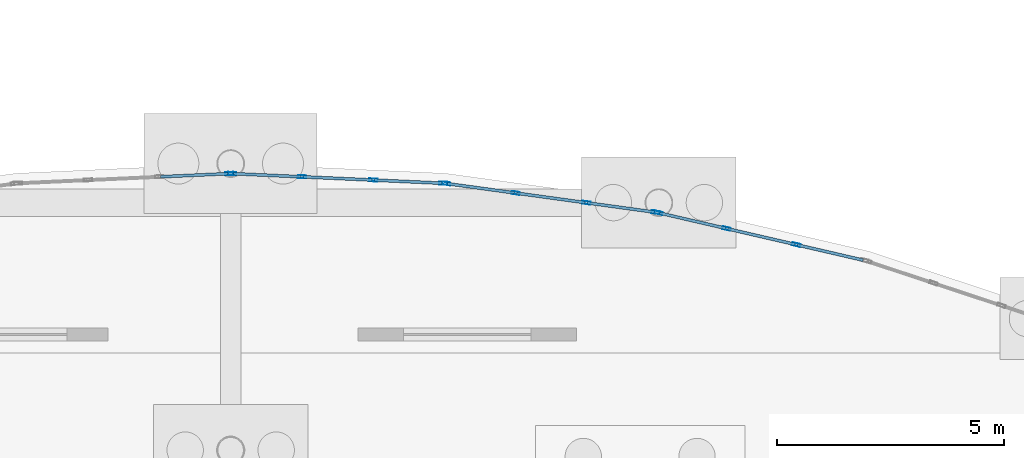
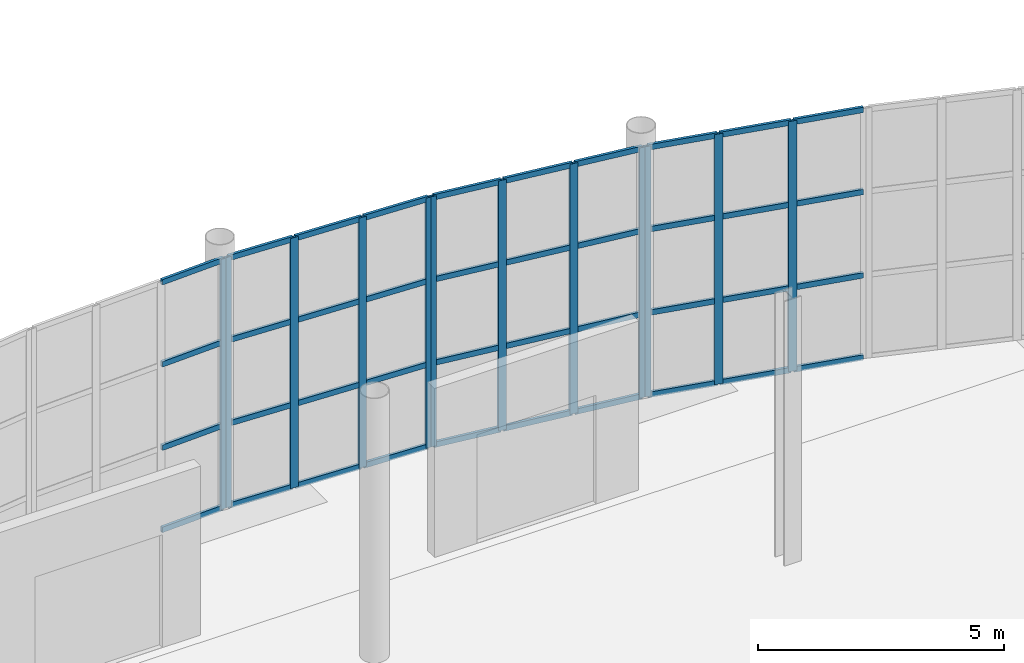
# One storey, part 61 of 115: 52 members, 4 elements without a shape of their own.
"""IFC4 building model written with IfcOpenShell, lengths in metres."""

import ifcopenshell
import ifcopenshell.guid

model = None  # the IFC model being written
_history = None  # IfcOwnerHistory: only IFC2X3 demands one
_inside = {}  # id of a spatial element -> (the spatial element, [elements in it])
_under = {}  # id of a project, library or spatial element -> (it, [spatial elements below it])
_declared = {}  # id of a project -> (the project, [libraries it declares])
_typed = {}  # id of a type object -> (the type object, [elements of that type])
_made_of = {}  # id of a material, layer set ... -> (it, [elements and type objects made of it])


def new_model(schema):
    """Start an empty IFC model of exactly this schema.

    Asked for "IFC4X3", IfcOpenShell would pick the latest addendum, in which some entities
    have other attributes; the version numbers below select the first issue.
    IFC2X3 requires an IfcOwnerHistory on every rooted entity: one is made here for all.
    """
    global model, _history
    if schema == "IFC4X3":
        model = ifcopenshell.file(schema_version=(4, 3, 0, 0))
    else:
        model = ifcopenshell.file(schema=schema)
    _inside.clear()
    _under.clear()
    _declared.clear()
    _typed.clear()
    _made_of.clear()
    _history = None
    if model.schema == "IFC2X3":
        org = make("IfcOrganization", Name="unknown")
        user = make(
            "IfcPersonAndOrganization",
            ThePerson=make("IfcPerson", FamilyName="unknown"),
            TheOrganization=org,
        )
        app = make(
            "IfcApplication",
            ApplicationDeveloper=org,
            Version="unknown",
            ApplicationFullName="unknown",
            ApplicationIdentifier="unknown",
        )
        _history = make(
            "IfcOwnerHistory",
            OwningUser=user,
            OwningApplication=app,
            ChangeAction="ADDED",
            CreationDate=0,
        )
    return model


def make(cls, **values):
    """One entity of the class cls with the attributes given. An attribute that is None is left unset."""
    return model.create_entity(
        cls, **{name: value for name, value in values.items() if value is not None}
    )


def rooted(cls, **values):
    """An entity with a GlobalId (a new one), such as an element, a storey or a relation."""
    return make(cls, GlobalId=ifcopenshell.guid.new(), OwnerHistory=_history, **values)


def si_unit(unit_type, name, prefix=None):
    """IfcSIUnit, for example si_unit("LENGTHUNIT", "METRE", prefix="MILLI")."""
    return make("IfcSIUnit", UnitType=unit_type, Prefix=prefix, Name=name)


def assignment(units):
    """IfcUnitAssignment: the units of a project."""
    return None if units is None else make("IfcUnitAssignment", Units=units)


def point(xyz):
    """IfcCartesianPoint."""
    return None if xyz is None else make("IfcCartesianPoint", Coordinates=xyz)


def direction(xyz):
    """IfcDirection."""
    return None if xyz is None else make("IfcDirection", DirectionRatios=xyz)


def frame(location, z_axis=None, x_axis=None):
    """IfcAxis2Placement3D, a coordinate frame: its origin and axes. An axis left out is left unset."""
    return make(
        "IfcAxis2Placement3D",
        Location=point(location),
        Axis=direction(z_axis),
        RefDirection=direction(x_axis),
    )


def frame_2d(location, x_axis=None):
    """IfcAxis2Placement2D, a coordinate frame in the plane: its origin and x axis."""
    return make(
        "IfcAxis2Placement2D", Location=point(location), RefDirection=direction(x_axis)
    )


def origin():
    """The frame at (0, 0, 0) with its axes left unset."""
    return frame((0.0, 0.0, 0.0))


def origin_2d():
    """The frame at (0, 0) in the plane with its x axis left unset."""
    return frame_2d((0.0, 0.0))


def place(relative_to, where):
    """IfcLocalPlacement: puts the frame where relative to a parent placement (None: the world)."""
    return make(
        "IfcLocalPlacement", PlacementRelTo=relative_to, RelativePlacement=where
    )


def context(
    kind, dimensions, precision=None, world=None, true_north=None, identifier=None
):
    """IfcGeometricRepresentationContext, for example the 3D "Model" context."""
    return make(
        "IfcGeometricRepresentationContext",
        ContextIdentifier=identifier,
        ContextType=kind,
        CoordinateSpaceDimension=dimensions,
        Precision=precision,
        WorldCoordinateSystem=world,
        TrueNorth=true_north,
    )


def subcontext(parent, identifier, kind, view, scale=None):
    """IfcGeometricRepresentationSubContext, for example "Body" below "Model"."""
    return make(
        "IfcGeometricRepresentationSubContext",
        ContextIdentifier=identifier,
        ContextType=kind,
        ParentContext=parent,
        TargetScale=scale,
        TargetView=view,
    )


def project(units=None, contexts=None):
    """IfcProject with its units and contexts."""
    return rooted(
        "IfcProject",
        Name="project",
        RepresentationContexts=contexts,
        UnitsInContext=assignment(units),
    )


def spatial(cls, under=None, at=None, **own):
    """A site, building, storey or space (cls), placed at a placement, below another one or the project."""
    s = rooted(cls, ObjectPlacement=at, **own)
    if under is not None:
        _under.setdefault(under.id(), (under, []))[1].append(s)
    return s


def profile(cls, at=None, kind="AREA", **sizes):
    """A parametric profile (cls). Its sizes go by their IFC names, for example OverallWidth=200.0."""
    return make(cls, ProfileType=kind, Position=at, **sizes)


def hollow_rectangle(**sizes):
    """IfcRectangleHollowProfileDef."""
    return profile("IfcRectangleHollowProfileDef", **sizes)


def extrude(swept, where, along, depth):
    """IfcExtrudedAreaSolid: the profile swept, set in the frame where, extruded along a direction by depth."""
    return make(
        "IfcExtrudedAreaSolid",
        SweptArea=swept,
        Position=where,
        ExtrudedDirection=direction(along),
        Depth=depth,
    )


def shape(context_of_items, identifier, shape_type, items):
    """IfcShapeRepresentation: the items that make up one representation, for example the "Body"."""
    return make(
        "IfcShapeRepresentation",
        ContextOfItems=context_of_items,
        RepresentationIdentifier=identifier,
        RepresentationType=shape_type,
        Items=items,
    )


def material(Name=None, Category=None):
    """IfcMaterial."""
    return make("IfcMaterial", Name=Name, Category=Category)


def layer(
    of_material, thickness, ventilated=None, Name=None, Category=None, Priority=None
):
    """IfcMaterialLayer: one layer of a wall or slab, of a material (None: an air gap)."""
    return make(
        "IfcMaterialLayer",
        Material=of_material,
        LayerThickness=thickness,
        IsVentilated=ventilated,
        Name=Name,
        Category=Category,
        Priority=Priority,
    )


def layer_set(layers, Name=None):
    """IfcMaterialLayerSet."""
    return make("IfcMaterialLayerSet", MaterialLayers=layers, LayerSetName=Name)


def material_profile(
    of_material, cross_section, Name=None, Category=None, Priority=None
):
    """IfcMaterialProfile: a cross section and its material."""
    return make(
        "IfcMaterialProfile",
        Name=Name,
        Material=of_material,
        Profile=cross_section,
        Priority=Priority,
        Category=Category,
    )


def profile_set(profiles, Name=None, composite=None):
    """IfcMaterialProfileSet."""
    return make(
        "IfcMaterialProfileSet",
        Name=Name,
        MaterialProfiles=profiles,
        CompositeProfile=composite,
    )


def made_of(thing, what):
    """Note that an element or type object is made of a material, layer set ...; save() writes the relation."""
    if what is not None:
        _made_of.setdefault(what.id(), (what, []))[1].append(thing)
    return thing


def type_object(cls, material=None, **own):
    """A type object (cls), such as IfcWallType, which elements share."""
    return made_of(rooted(cls, **own), material)


def element(
    cls,
    number,
    at=None,
    inside=None,
    cuts=None,
    type_object=None,
    material=None,
    context=None,
    identifier="Body",
    shape_type=None,
    held_by="IfcProductDefinitionShape",
    body=None,
    shapes=None,
    **own,
):
    """One element of the class cls, such as IfcWall. Its Tag is "e" and its number.

    at: its placement. inside: the storey or other place that contains it. cuts: it is an
    opening in that element (IfcRelVoidsElement). A single representation is given by context,
    identifier, shape_type and body (its items); several are given by shapes. held_by: the class
    of the entity that holds the representations. save() writes the other relations.
    """
    e = rooted(cls, Tag="e%d" % number, ObjectPlacement=at, **own)
    if body is not None:
        shapes = [shape(context, identifier, shape_type, body)]
    if shapes is not None:
        e.Representation = make(held_by, Representations=shapes)
    if inside is not None:
        _inside.setdefault(inside.id(), (inside, []))[1].append(e)
    if cuts is not None:
        rooted(
            "IfcRelVoidsElement", RelatingBuildingElement=cuts, RelatedOpeningElement=e
        )
    if type_object is not None:
        _typed.setdefault(type_object.id(), (type_object, []))[1].append(e)
    return made_of(e, material)


def aggregate(whole, parts):
    """IfcRelAggregates: a whole, such as a stair, and the parts it consists of."""
    return rooted("IfcRelAggregates", RelatingObject=whole, RelatedObjects=parts)


def save(model, path):
    """Write the relations noted so far, then the file.

    IfcRelAggregates (storeys below a building ...), IfcRelContainedInSpatialStructure (elements
    in a storey), IfcRelDefinesByType, IfcRelAssociatesMaterial and IfcRelDeclares: one each for
    every whole, place, type object, material and project.
    """
    for whole, parts in _under.values():
        aggregate(whole, parts)
    for where, things in _inside.values():
        rooted(
            "IfcRelContainedInSpatialStructure",
            RelatedElements=things,
            RelatingStructure=where,
        )
    for kind, things in _typed.values():
        rooted("IfcRelDefinesByType", RelatedObjects=things, RelatingType=kind)
    for what, things in _made_of.values():
        rooted("IfcRelAssociatesMaterial", RelatedObjects=things, RelatingMaterial=what)
    for by, libraries in _declared.values():
        rooted("IfcRelDeclares", RelatingContext=by, RelatedDefinitions=libraries)
    model.write(path)


model = new_model("IFC4")

# Units and contexts
model_context = context("Model", 3, precision=1e-05, world=origin(), true_north=direction((0.0, 1.0)))
body_context = subcontext(model_context, "Body", "Model", "MODEL_VIEW")
ifc_project = project(units=[si_unit("LENGTHUNIT", "METRE"), si_unit("AREAUNIT", "SQUARE_METRE"), si_unit("VOLUMEUNIT", "CUBIC_METRE"), si_unit("PLANEANGLEUNIT", "RADIAN"), si_unit("MASSUNIT", "GRAM", prefix="KILO")], contexts=[model_context])

# Site, building, storey
site_placement = place(None, origin())
site = spatial("IfcSite", under=ifc_project, at=site_placement, CompositionType="ELEMENT")
building_placement = place(site_placement, origin())
building = spatial("IfcBuilding", under=site, at=building_placement, Name="Tamarisk Ironworks Central Station", CompositionType="ELEMENT")
storey_placement = place(building_placement, origin())
storey = spatial("IfcBuildingStorey", under=building, at=storey_placement, Name="L00", CompositionType="ELEMENT", Elevation=0.0)

# Curtain wall, member
ifc_material = material(Name="Anodized aluminium alloy 6063-T6", Category="aluminium")
ifc_layer = layer(ifc_material, 0.179931640625)
ifc_layer_set = layer_set([ifc_layer], Name="Anodized aluminium alloy 6063-T6")
curtain_wall_type = type_object("IfcCurtainWallType", Name="CW-01", PredefinedType="USERDEFINED", material=ifc_layer_set)
curtain_wall_1_placement = place(storey_placement, origin())
curtain_wall_1 = element("IfcCurtainWall", 1, at=curtain_wall_1_placement, inside=storey, type_object=curtain_wall_type, Name="NN rounded entrance hall L00 curtain wall bay 06", ObjectType="GLAZED CURTAIN WALL", PredefinedType="USERDEFINED")
ifc_material_profile_1 = material_profile(ifc_material, hollow_rectangle(XDim=0.06494140625, YDim=0.179931640625, WallThickness=0.00390625, at=origin_2d()), Name="ALUM 180x65")
ifc_profile_set_1 = profile_set([ifc_material_profile_1], Name="Anodized aluminium alloy 6063-T6")
member_type_1 = type_object("IfcMemberType", Name="CWM-02", PredefinedType="MULLION", material=ifc_profile_set_1)
member_1_placement = place(storey_placement, frame((80.967529296875, 118.9375, 0.0), z_axis=(0.0, 0.0, 1.0), x_axis=(-0.045480859558, 0.998965210312, 0.0)))
member_1 = element("IfcMember", 2, at=member_1_placement, type_object=member_type_1, Name="CW01 mullion 4", PredefinedType="MULLION", context=body_context, shape_type="SweptSolid", body=[
    extrude(hollow_rectangle(XDim=0.06494140625, YDim=0.179931640625, WallThickness=0.00390625, at=origin_2d()), origin(), (0.0, 0.0, 1.0), 6.219970703125),
])

# Curtain wall, members
curtain_wall_2_placement = place(storey_placement, origin())
curtain_wall_2 = element("IfcCurtainWall", 3, at=curtain_wall_2_placement, inside=storey, type_object=curtain_wall_type, Name="NN rounded entrance hall L00 curtain wall bay 07", ObjectType="GLAZED CURTAIN WALL", PredefinedType="USERDEFINED")
member_2_placement = place(storey_placement, frame((81.032470703125, 118.9375, 0.0), z_axis=(0.0, 0.0, 1.0), x_axis=(0.045480859558, 0.998965210312, 0.0)))
member_2 = element("IfcMember", 4, at=member_2_placement, type_object=member_type_1, Name="CW01 mullion 1", PredefinedType="MULLION", context=body_context, shape_type="SweptSolid", body=[
    extrude(hollow_rectangle(XDim=0.06494140625, YDim=0.179931640625, WallThickness=0.00390625, at=origin_2d()), origin(), (0.0, 0.0, 1.0), 6.219970703125),
])
member_3_placement = place(storey_placement, frame((82.568359375, 118.86767578125, 0.0), z_axis=(0.0, 0.0, 1.0), x_axis=(0.045480859558, 0.998965210312, 0.0)))
member_3 = element("IfcMember", 5, at=member_3_placement, type_object=member_type_1, Name="CW01 mullion 2", PredefinedType="MULLION", context=body_context, shape_type="SweptSolid", body=[
    extrude(hollow_rectangle(XDim=0.06494140625, YDim=0.179931640625, WallThickness=0.00390625, at=origin_2d()), origin(), (0.0, 0.0, 1.0), 6.219970703125),
])
member_4_placement = place(storey_placement, frame((84.136474609375, 118.796142578125, 0.0), z_axis=(0.0, 0.0, 1.0), x_axis=(0.045480859558, 0.998965210312, 0.0)))
member_4 = element("IfcMember", 6, at=member_4_placement, type_object=member_type_1, Name="CW01 mullion 3", PredefinedType="MULLION", context=body_context, shape_type="SweptSolid", body=[
    extrude(hollow_rectangle(XDim=0.06494140625, YDim=0.179931640625, WallThickness=0.00390625, at=origin_2d()), origin(), (0.0, 0.0, 1.0), 6.219970703125),
])
member_5_placement = place(storey_placement, frame((85.67236328125, 118.726318359375, 0.0), z_axis=(0.0, 0.0, 1.0), x_axis=(0.045480859558, 0.998965210312, 0.0)))
member_5 = element("IfcMember", 7, at=member_5_placement, type_object=member_type_1, Name="CW01 mullion 4", PredefinedType="MULLION", context=body_context, shape_type="SweptSolid", body=[
    extrude(hollow_rectangle(XDim=0.06494140625, YDim=0.179931640625, WallThickness=0.00390625, at=origin_2d()), origin(), (0.0, 0.0, 1.0), 6.219970703125),
])

curtain_wall_3_placement = place(storey_placement, origin())
curtain_wall_3 = element("IfcCurtainWall", 8, at=curtain_wall_3_placement, inside=storey, type_object=curtain_wall_type, Name="NN rounded entrance hall L00 curtain wall bay 08", ObjectType="GLAZED CURTAIN WALL", PredefinedType="USERDEFINED")
member_6_placement = place(storey_placement, frame((85.737060546875, 118.720458984375, 0.0), z_axis=(0.0, 0.0, 1.0), x_axis=(0.136041725218, 0.990703108403, 0.0)))
member_6 = element("IfcMember", 9, at=member_6_placement, type_object=member_type_1, Name="CW01 mullion 1", PredefinedType="MULLION", context=body_context, shape_type="SweptSolid", body=[
    extrude(hollow_rectangle(XDim=0.06494140625, YDim=0.179931640625, WallThickness=0.00390625, at=origin_2d()), origin(), (0.0, 0.0, 1.0), 6.219970703125),
])
member_7_placement = place(storey_placement, frame((87.260009765625, 118.51123046875, 0.0), z_axis=(0.0, 0.0, 1.0), x_axis=(0.136041725218, 0.990703108403, 0.0)))
member_7 = element("IfcMember", 10, at=member_7_placement, type_object=member_type_1, Name="CW01 mullion 2", PredefinedType="MULLION", context=body_context, shape_type="SweptSolid", body=[
    extrude(hollow_rectangle(XDim=0.06494140625, YDim=0.179931640625, WallThickness=0.00390625, at=origin_2d()), origin(), (0.0, 0.0, 1.0), 6.219970703125),
])
member_8_placement = place(storey_placement, frame((88.8154296875, 118.297607421875, 0.0), z_axis=(0.0, 0.0, 1.0), x_axis=(0.136041725218, 0.990703108403, 0.0)))
member_8 = element("IfcMember", 11, at=member_8_placement, type_object=member_type_1, Name="CW01 mullion 3", PredefinedType="MULLION", context=body_context, shape_type="SweptSolid", body=[
    extrude(hollow_rectangle(XDim=0.06494140625, YDim=0.179931640625, WallThickness=0.00390625, at=origin_2d()), origin(), (0.0, 0.0, 1.0), 6.219970703125),
])
member_9_placement = place(storey_placement, frame((90.33837890625, 118.088623046875, 0.0), z_axis=(0.0, 0.0, 1.0), x_axis=(0.136041725218, 0.990703108403, 0.0)))
member_9 = element("IfcMember", 12, at=member_9_placement, type_object=member_type_1, Name="CW01 mullion 4", PredefinedType="MULLION", context=body_context, shape_type="SweptSolid", body=[
    extrude(hollow_rectangle(XDim=0.06494140625, YDim=0.179931640625, WallThickness=0.00390625, at=origin_2d()), origin(), (0.0, 0.0, 1.0), 6.219970703125),
])

curtain_wall_4_placement = place(storey_placement, origin())
curtain_wall_4 = element("IfcCurtainWall", 13, at=curtain_wall_4_placement, inside=storey, type_object=curtain_wall_type, Name="NN rounded entrance hall L00 curtain wall bay 09", ObjectType="GLAZED CURTAIN WALL", PredefinedType="USERDEFINED")
member_10_placement = place(storey_placement, frame((90.40234375, 118.07666015625, 0.0), z_axis=(0.0, 0.0, 1.0), x_axis=(0.225516966506, 0.974239240545, 0.0)))
member_10 = element("IfcMember", 14, at=member_10_placement, type_object=member_type_1, Name="CW01 mullion 1", PredefinedType="MULLION", context=body_context, shape_type="SweptSolid", body=[
    extrude(hollow_rectangle(XDim=0.06494140625, YDim=0.179931640625, WallThickness=0.00390625, at=origin_2d()), origin(), (0.0, 0.0, 1.0), 6.219970703125),
])
member_11_placement = place(storey_placement, frame((91.900146484375, 117.72998046875, 0.0), z_axis=(0.0, 0.0, 1.0), x_axis=(0.225516966506, 0.974239240545, 0.0)))
member_11 = element("IfcMember", 15, at=member_11_placement, type_object=member_type_1, Name="CW01 mullion 2", PredefinedType="MULLION", context=body_context, shape_type="SweptSolid", body=[
    extrude(hollow_rectangle(XDim=0.06494140625, YDim=0.179931640625, WallThickness=0.00390625, at=origin_2d()), origin(), (0.0, 0.0, 1.0), 6.219970703125),
])
member_12_placement = place(storey_placement, frame((93.429443359375, 117.3759765625, 0.0), z_axis=(0.0, 0.0, 1.0), x_axis=(0.225516966506, 0.974239240545, 0.0)))
member_12 = element("IfcMember", 16, at=member_12_placement, type_object=member_type_1, Name="CW01 mullion 3", PredefinedType="MULLION", context=body_context, shape_type="SweptSolid", body=[
    extrude(hollow_rectangle(XDim=0.06494140625, YDim=0.179931640625, WallThickness=0.00390625, at=origin_2d()), origin(), (0.0, 0.0, 1.0), 6.219970703125),
])

# Member
ifc_material_profile_2 = material_profile(ifc_material, hollow_rectangle(XDim=0.06494140625, YDim=0.135009765625, WallThickness=0.00341796875, at=origin_2d()), Name="ALUM 135x65")
ifc_profile_set_2 = profile_set([ifc_material_profile_2], Name="Anodized aluminium alloy 6063-T6")
member_type_2 = type_object("IfcMemberType", Name="CWT-02", PredefinedType="USERDEFINED", material=ifc_profile_set_2)
member_13_placement = place(storey_placement, frame((79.460205078125, 118.868896484375, 0.032470703125), z_axis=(0.998963433069, 0.04551987907, 0.0), x_axis=(-0.04551987907, 0.998963433069, 0.0)))
member_13 = element("IfcMember", 17, at=member_13_placement, type_object=member_type_2, Name="CW01 transom 3.1", ObjectType="TRANSOM", PredefinedType="USERDEFINED", context=body_context, shape_type="SweptSolid", body=[
    extrude(hollow_rectangle(XDim=0.06494140625, YDim=0.135009765625, WallThickness=0.00341796875, at=origin_2d()), origin(), (0.0, 0.0, 1.0), 1.480224609375),
])

member_14_placement = place(storey_placement, frame((79.460205078125, 118.868896484375, 2.0732421875), z_axis=(0.998963433069, 0.04551987907, 0.0), x_axis=(-0.04551987907, 0.998963433069, 0.0)))
member_14 = element("IfcMember", 18, at=member_14_placement, type_object=member_type_2, Name="CW01 transom 3.2", ObjectType="TRANSOM", PredefinedType="USERDEFINED", context=body_context, shape_type="SweptSolid", body=[
    extrude(hollow_rectangle(XDim=0.06494140625, YDim=0.135009765625, WallThickness=0.00341796875, at=origin_2d()), origin(), (0.0, 0.0, 1.0), 1.480224609375),
])

member_15_placement = place(storey_placement, frame((79.460205078125, 118.868896484375, 4.146728515625), z_axis=(0.998963433069, 0.04551987907, 0.0), x_axis=(-0.04551987907, 0.998963433069, 0.0)))
member_15 = element("IfcMember", 19, at=member_15_placement, type_object=member_type_2, Name="CW01 transom 3.3", ObjectType="TRANSOM", PredefinedType="USERDEFINED", context=body_context, shape_type="SweptSolid", body=[
    extrude(hollow_rectangle(XDim=0.06494140625, YDim=0.135009765625, WallThickness=0.00341796875, at=origin_2d()), origin(), (0.0, 0.0, 1.0), 1.480224609375),
])

member_16_placement = place(storey_placement, frame((79.460205078125, 118.868896484375, 6.1875), z_axis=(0.998963433069, 0.04551987907, 0.0), x_axis=(-0.04551987907, 0.998963433069, 0.0)))
member_16 = element("IfcMember", 20, at=member_16_placement, type_object=member_type_2, Name="CW01 transom 3.4", ObjectType="TRANSOM", PredefinedType="USERDEFINED", context=body_context, shape_type="SweptSolid", body=[
    extrude(hollow_rectangle(XDim=0.06494140625, YDim=0.135009765625, WallThickness=0.00341796875, at=origin_2d()), origin(), (0.0, 0.0, 1.0), 1.480224609375),
])

aggregate(curtain_wall_1, [member_1, member_13, member_14, member_15, member_16])

member_17_placement = place(storey_placement, frame((81.06103515625, 118.936279296875, 0.032470703125), z_axis=(0.998963433069, -0.04551987907, 0.0), x_axis=(0.04551987907, 0.998963433069, 0.0)))
member_17 = element("IfcMember", 21, at=member_17_placement, type_object=member_type_2, Name="CW01 transom 1.1", ObjectType="TRANSOM", PredefinedType="USERDEFINED", context=body_context, shape_type="SweptSolid", body=[
    extrude(hollow_rectangle(XDim=0.06494140625, YDim=0.135009765625, WallThickness=0.00341796875, at=origin_2d()), origin(), (0.0, 0.0, 1.0), 1.480224609375),
])

member_18_placement = place(storey_placement, frame((81.06103515625, 118.936279296875, 2.0732421875), z_axis=(0.998963433069, -0.04551987907, 0.0), x_axis=(0.04551987907, 0.998963433069, 0.0)))
member_18 = element("IfcMember", 22, at=member_18_placement, type_object=member_type_2, Name="CW01 transom 1.2", ObjectType="TRANSOM", PredefinedType="USERDEFINED", context=body_context, shape_type="SweptSolid", body=[
    extrude(hollow_rectangle(XDim=0.06494140625, YDim=0.135009765625, WallThickness=0.00341796875, at=origin_2d()), origin(), (0.0, 0.0, 1.0), 1.480224609375),
])

member_19_placement = place(storey_placement, frame((81.06103515625, 118.936279296875, 4.146728515625), z_axis=(0.998963433069, -0.04551987907, 0.0), x_axis=(0.04551987907, 0.998963433069, 0.0)))
member_19 = element("IfcMember", 23, at=member_19_placement, type_object=member_type_2, Name="CW01 transom 1.3", ObjectType="TRANSOM", PredefinedType="USERDEFINED", context=body_context, shape_type="SweptSolid", body=[
    extrude(hollow_rectangle(XDim=0.06494140625, YDim=0.135009765625, WallThickness=0.00341796875, at=origin_2d()), origin(), (0.0, 0.0, 1.0), 1.480224609375),
])

member_20_placement = place(storey_placement, frame((81.06103515625, 118.936279296875, 6.1875), z_axis=(0.998963433069, -0.04551987907, 0.0), x_axis=(0.04551987907, 0.998963433069, 0.0)))
member_20 = element("IfcMember", 24, at=member_20_placement, type_object=member_type_2, Name="CW01 transom 1.4", ObjectType="TRANSOM", PredefinedType="USERDEFINED", context=body_context, shape_type="SweptSolid", body=[
    extrude(hollow_rectangle(XDim=0.06494140625, YDim=0.135009765625, WallThickness=0.00341796875, at=origin_2d()), origin(), (0.0, 0.0, 1.0), 1.480224609375),
])

member_21_placement = place(storey_placement, frame((82.5966796875, 118.8662109375, 0.032470703125), z_axis=(0.998971532323, -0.045341786558, 0.0), x_axis=(0.045341786558, 0.998971532323, 0.0)))
member_21 = element("IfcMember", 25, at=member_21_placement, type_object=member_type_2, Name="CW01 transom 2.1", ObjectType="TRANSOM", PredefinedType="USERDEFINED", context=body_context, shape_type="SweptSolid", body=[
    extrude(hollow_rectangle(XDim=0.06494140625, YDim=0.135009765625, WallThickness=0.00341796875, at=origin_2d()), origin(), (0.0, 0.0, 1.0), 1.512939453125),
])

member_22_placement = place(storey_placement, frame((82.5966796875, 118.8662109375, 2.0732421875), z_axis=(0.998971532323, -0.045341786558, 0.0), x_axis=(0.045341786558, 0.998971532323, 0.0)))
member_22 = element("IfcMember", 26, at=member_22_placement, type_object=member_type_2, Name="CW01 transom 2.2", ObjectType="TRANSOM", PredefinedType="USERDEFINED", context=body_context, shape_type="SweptSolid", body=[
    extrude(hollow_rectangle(XDim=0.06494140625, YDim=0.135009765625, WallThickness=0.00341796875, at=origin_2d()), origin(), (0.0, 0.0, 1.0), 1.512939453125),
])

member_23_placement = place(storey_placement, frame((82.5966796875, 118.8662109375, 4.146728515625), z_axis=(0.998971532323, -0.045341786558, 0.0), x_axis=(0.045341786558, 0.998971532323, 0.0)))
member_23 = element("IfcMember", 27, at=member_23_placement, type_object=member_type_2, Name="CW01 transom 2.3", ObjectType="TRANSOM", PredefinedType="USERDEFINED", context=body_context, shape_type="SweptSolid", body=[
    extrude(hollow_rectangle(XDim=0.06494140625, YDim=0.135009765625, WallThickness=0.00341796875, at=origin_2d()), origin(), (0.0, 0.0, 1.0), 1.512939453125),
])

member_24_placement = place(storey_placement, frame((82.5966796875, 118.8662109375, 6.1875), z_axis=(0.998971532323, -0.045341786558, 0.0), x_axis=(0.045341786558, 0.998971532323, 0.0)))
member_24 = element("IfcMember", 28, at=member_24_placement, type_object=member_type_2, Name="CW01 transom 2.4", ObjectType="TRANSOM", PredefinedType="USERDEFINED", context=body_context, shape_type="SweptSolid", body=[
    extrude(hollow_rectangle(XDim=0.06494140625, YDim=0.135009765625, WallThickness=0.00341796875, at=origin_2d()), origin(), (0.0, 0.0, 1.0), 1.512939453125),
])

member_25_placement = place(storey_placement, frame((84.1650390625, 118.794921875, 0.032470703125), z_axis=(0.998963433069, -0.04551987907, 0.0), x_axis=(0.04551987907, 0.998963433069, 0.0)))
member_25 = element("IfcMember", 29, at=member_25_placement, type_object=member_type_2, Name="CW01 transom 3.1", ObjectType="TRANSOM", PredefinedType="USERDEFINED", context=body_context, shape_type="SweptSolid", body=[
    extrude(hollow_rectangle(XDim=0.06494140625, YDim=0.135009765625, WallThickness=0.00341796875, at=origin_2d()), origin(), (0.0, 0.0, 1.0), 1.480224609375),
])

member_26_placement = place(storey_placement, frame((84.1650390625, 118.794921875, 2.0732421875), z_axis=(0.998963433069, -0.04551987907, 0.0), x_axis=(0.04551987907, 0.998963433069, 0.0)))
member_26 = element("IfcMember", 30, at=member_26_placement, type_object=member_type_2, Name="CW01 transom 3.2", ObjectType="TRANSOM", PredefinedType="USERDEFINED", context=body_context, shape_type="SweptSolid", body=[
    extrude(hollow_rectangle(XDim=0.06494140625, YDim=0.135009765625, WallThickness=0.00341796875, at=origin_2d()), origin(), (0.0, 0.0, 1.0), 1.480224609375),
])

member_27_placement = place(storey_placement, frame((84.1650390625, 118.794921875, 4.146728515625), z_axis=(0.998963433069, -0.04551987907, 0.0), x_axis=(0.04551987907, 0.998963433069, 0.0)))
member_27 = element("IfcMember", 31, at=member_27_placement, type_object=member_type_2, Name="CW01 transom 3.3", ObjectType="TRANSOM", PredefinedType="USERDEFINED", context=body_context, shape_type="SweptSolid", body=[
    extrude(hollow_rectangle(XDim=0.06494140625, YDim=0.135009765625, WallThickness=0.00341796875, at=origin_2d()), origin(), (0.0, 0.0, 1.0), 1.480224609375),
])

member_28_placement = place(storey_placement, frame((84.1650390625, 118.794921875, 6.1875), z_axis=(0.998963433069, -0.04551987907, 0.0), x_axis=(0.04551987907, 0.998963433069, 0.0)))
member_28 = element("IfcMember", 32, at=member_28_placement, type_object=member_type_2, Name="CW01 transom 3.4", ObjectType="TRANSOM", PredefinedType="USERDEFINED", context=body_context, shape_type="SweptSolid", body=[
    extrude(hollow_rectangle(XDim=0.06494140625, YDim=0.135009765625, WallThickness=0.00341796875, at=origin_2d()), origin(), (0.0, 0.0, 1.0), 1.480224609375),
])

aggregate(curtain_wall_2, [member_2, member_3, member_4, member_5, member_17, member_18, member_19, member_20, member_21, member_22, member_23, member_24, member_25, member_26, member_27, member_28])

member_29_placement = place(storey_placement, frame((85.76513671875, 118.716552734375, 0.032470703125), z_axis=(0.990703301789, -0.136040316907, 0.0), x_axis=(0.136040316907, 0.990703301789, 0.0)))
member_29 = element("IfcMember", 33, at=member_29_placement, type_object=member_type_2, Name="CW01 transom 1.1", ObjectType="TRANSOM", PredefinedType="USERDEFINED", context=body_context, shape_type="SweptSolid", body=[
    extrude(hollow_rectangle(XDim=0.06494140625, YDim=0.135009765625, WallThickness=0.00341796875, at=origin_2d()), origin(), (0.0, 0.0, 1.0), 1.48046875),
])

member_30_placement = place(storey_placement, frame((85.76513671875, 118.716552734375, 2.0732421875), z_axis=(0.990703301789, -0.136040316907, 0.0), x_axis=(0.136040316907, 0.990703301789, 0.0)))
member_30 = element("IfcMember", 34, at=member_30_placement, type_object=member_type_2, Name="CW01 transom 1.2", ObjectType="TRANSOM", PredefinedType="USERDEFINED", context=body_context, shape_type="SweptSolid", body=[
    extrude(hollow_rectangle(XDim=0.06494140625, YDim=0.135009765625, WallThickness=0.00341796875, at=origin_2d()), origin(), (0.0, 0.0, 1.0), 1.48046875),
])

member_31_placement = place(storey_placement, frame((85.76513671875, 118.716552734375, 4.146728515625), z_axis=(0.990703301789, -0.136040316907, 0.0), x_axis=(0.136040316907, 0.990703301789, 0.0)))
member_31 = element("IfcMember", 35, at=member_31_placement, type_object=member_type_2, Name="CW01 transom 1.3", ObjectType="TRANSOM", PredefinedType="USERDEFINED", context=body_context, shape_type="SweptSolid", body=[
    extrude(hollow_rectangle(XDim=0.06494140625, YDim=0.135009765625, WallThickness=0.00341796875, at=origin_2d()), origin(), (0.0, 0.0, 1.0), 1.48046875),
])

member_32_placement = place(storey_placement, frame((85.76513671875, 118.716552734375, 6.1875), z_axis=(0.990703301789, -0.136040316907, 0.0), x_axis=(0.136040316907, 0.990703301789, 0.0)))
member_32 = element("IfcMember", 36, at=member_32_placement, type_object=member_type_2, Name="CW01 transom 1.4", ObjectType="TRANSOM", PredefinedType="USERDEFINED", context=body_context, shape_type="SweptSolid", body=[
    extrude(hollow_rectangle(XDim=0.06494140625, YDim=0.135009765625, WallThickness=0.00341796875, at=origin_2d()), origin(), (0.0, 0.0, 1.0), 1.48046875),
])

member_33_placement = place(storey_placement, frame((87.288330078125, 118.50732421875, 0.032470703125), z_axis=(0.990703051997, -0.136042135988, 0.0), x_axis=(0.136042135988, 0.990703051997, 0.0)))
member_33 = element("IfcMember", 37, at=member_33_placement, type_object=member_type_2, Name="CW01 transom 2.1", ObjectType="TRANSOM", PredefinedType="USERDEFINED", context=body_context, shape_type="SweptSolid", body=[
    extrude(hollow_rectangle(XDim=0.06494140625, YDim=0.135009765625, WallThickness=0.00341796875, at=origin_2d()), origin(), (0.0, 0.0, 1.0), 1.512939453125),
])

member_34_placement = place(storey_placement, frame((87.288330078125, 118.50732421875, 2.0732421875), z_axis=(0.990703051997, -0.136042135988, 0.0), x_axis=(0.136042135988, 0.990703051997, 0.0)))
member_34 = element("IfcMember", 38, at=member_34_placement, type_object=member_type_2, Name="CW01 transom 2.2", ObjectType="TRANSOM", PredefinedType="USERDEFINED", context=body_context, shape_type="SweptSolid", body=[
    extrude(hollow_rectangle(XDim=0.06494140625, YDim=0.135009765625, WallThickness=0.00341796875, at=origin_2d()), origin(), (0.0, 0.0, 1.0), 1.512939453125),
])

member_35_placement = place(storey_placement, frame((87.288330078125, 118.50732421875, 4.146728515625), z_axis=(0.990703051997, -0.136042135988, 0.0), x_axis=(0.136042135988, 0.990703051997, 0.0)))
member_35 = element("IfcMember", 39, at=member_35_placement, type_object=member_type_2, Name="CW01 transom 2.3", ObjectType="TRANSOM", PredefinedType="USERDEFINED", context=body_context, shape_type="SweptSolid", body=[
    extrude(hollow_rectangle(XDim=0.06494140625, YDim=0.135009765625, WallThickness=0.00341796875, at=origin_2d()), origin(), (0.0, 0.0, 1.0), 1.512939453125),
])

member_36_placement = place(storey_placement, frame((87.288330078125, 118.50732421875, 6.1875), z_axis=(0.990703051997, -0.136042135988, 0.0), x_axis=(0.136042135988, 0.990703051997, 0.0)))
member_36 = element("IfcMember", 40, at=member_36_placement, type_object=member_type_2, Name="CW01 transom 2.4", ObjectType="TRANSOM", PredefinedType="USERDEFINED", context=body_context, shape_type="SweptSolid", body=[
    extrude(hollow_rectangle(XDim=0.06494140625, YDim=0.135009765625, WallThickness=0.00341796875, at=origin_2d()), origin(), (0.0, 0.0, 1.0), 1.512939453125),
])

member_37_placement = place(storey_placement, frame((88.843505859375, 118.293701171875, 0.032470703125), z_axis=(0.990700249291, -0.136062544642, 0.0), x_axis=(0.136062544642, 0.990700249291, 0.0)))
member_37 = element("IfcMember", 41, at=member_37_placement, type_object=member_type_2, Name="CW01 transom 3.1", ObjectType="TRANSOM", PredefinedType="USERDEFINED", context=body_context, shape_type="SweptSolid", body=[
    extrude(hollow_rectangle(XDim=0.06494140625, YDim=0.135009765625, WallThickness=0.00341796875, at=origin_2d()), origin(), (0.0, 0.0, 1.0), 1.480224609375),
])

member_38_placement = place(storey_placement, frame((88.843505859375, 118.293701171875, 2.0732421875), z_axis=(0.990700249291, -0.136062544642, 0.0), x_axis=(0.136062544642, 0.990700249291, 0.0)))
member_38 = element("IfcMember", 42, at=member_38_placement, type_object=member_type_2, Name="CW01 transom 3.2", ObjectType="TRANSOM", PredefinedType="USERDEFINED", context=body_context, shape_type="SweptSolid", body=[
    extrude(hollow_rectangle(XDim=0.06494140625, YDim=0.135009765625, WallThickness=0.00341796875, at=origin_2d()), origin(), (0.0, 0.0, 1.0), 1.480224609375),
])

member_39_placement = place(storey_placement, frame((88.843505859375, 118.293701171875, 4.146728515625), z_axis=(0.990700249291, -0.136062544642, 0.0), x_axis=(0.136062544642, 0.990700249291, 0.0)))
member_39 = element("IfcMember", 43, at=member_39_placement, type_object=member_type_2, Name="CW01 transom 3.3", ObjectType="TRANSOM", PredefinedType="USERDEFINED", context=body_context, shape_type="SweptSolid", body=[
    extrude(hollow_rectangle(XDim=0.06494140625, YDim=0.135009765625, WallThickness=0.00341796875, at=origin_2d()), origin(), (0.0, 0.0, 1.0), 1.480224609375),
])

member_40_placement = place(storey_placement, frame((88.843505859375, 118.293701171875, 6.1875), z_axis=(0.990700249291, -0.136062544642, 0.0), x_axis=(0.136062544642, 0.990700249291, 0.0)))
member_40 = element("IfcMember", 44, at=member_40_placement, type_object=member_type_2, Name="CW01 transom 3.4", ObjectType="TRANSOM", PredefinedType="USERDEFINED", context=body_context, shape_type="SweptSolid", body=[
    extrude(hollow_rectangle(XDim=0.06494140625, YDim=0.135009765625, WallThickness=0.00341796875, at=origin_2d()), origin(), (0.0, 0.0, 1.0), 1.480224609375),
])

aggregate(curtain_wall_3, [member_6, member_7, member_8, member_9, member_29, member_30, member_31, member_32, member_33, member_34, member_35, member_36, member_37, member_38, member_39, member_40])

member_41_placement = place(storey_placement, frame((90.429931640625, 118.0703125, 0.032470703125), z_axis=(0.97426040406, -0.225425520032, 0.0), x_axis=(0.225425520032, 0.97426040406, 0.0)))
member_41 = element("IfcMember", 45, at=member_41_placement, type_object=member_type_2, Name="CW01 transom 1.1", ObjectType="TRANSOM", PredefinedType="USERDEFINED", context=body_context, shape_type="SweptSolid", body=[
    extrude(hollow_rectangle(XDim=0.06494140625, YDim=0.135009765625, WallThickness=0.00341796875, at=origin_2d()), origin(), (0.0, 0.0, 1.0), 1.48046875),
])

member_42_placement = place(storey_placement, frame((90.429931640625, 118.0703125, 2.0732421875), z_axis=(0.97426040406, -0.225425520032, 0.0), x_axis=(0.225425520032, 0.97426040406, 0.0)))
member_42 = element("IfcMember", 46, at=member_42_placement, type_object=member_type_2, Name="CW01 transom 1.2", ObjectType="TRANSOM", PredefinedType="USERDEFINED", context=body_context, shape_type="SweptSolid", body=[
    extrude(hollow_rectangle(XDim=0.06494140625, YDim=0.135009765625, WallThickness=0.00341796875, at=origin_2d()), origin(), (0.0, 0.0, 1.0), 1.48046875),
])

member_43_placement = place(storey_placement, frame((90.429931640625, 118.0703125, 4.146728515625), z_axis=(0.97426040406, -0.225425520032, 0.0), x_axis=(0.225425520032, 0.97426040406, 0.0)))
member_43 = element("IfcMember", 47, at=member_43_placement, type_object=member_type_2, Name="CW01 transom 1.3", ObjectType="TRANSOM", PredefinedType="USERDEFINED", context=body_context, shape_type="SweptSolid", body=[
    extrude(hollow_rectangle(XDim=0.06494140625, YDim=0.135009765625, WallThickness=0.00341796875, at=origin_2d()), origin(), (0.0, 0.0, 1.0), 1.48046875),
])

member_44_placement = place(storey_placement, frame((90.429931640625, 118.0703125, 6.1875), z_axis=(0.97426040406, -0.225425520032, 0.0), x_axis=(0.225425520032, 0.97426040406, 0.0)))
member_44 = element("IfcMember", 48, at=member_44_placement, type_object=member_type_2, Name="CW01 transom 1.4", ObjectType="TRANSOM", PredefinedType="USERDEFINED", context=body_context, shape_type="SweptSolid", body=[
    extrude(hollow_rectangle(XDim=0.06494140625, YDim=0.135009765625, WallThickness=0.00341796875, at=origin_2d()), origin(), (0.0, 0.0, 1.0), 1.48046875),
])

member_45_placement = place(storey_placement, frame((91.927734375, 117.7236328125, 0.032470703125), z_axis=(0.974255022552, -0.22544877696, 0.0), x_axis=(0.22544877696, 0.974255022552, 0.0)))
member_45 = element("IfcMember", 49, at=member_45_placement, type_object=member_type_2, Name="CW01 transom 2.1", ObjectType="TRANSOM", PredefinedType="USERDEFINED", context=body_context, shape_type="SweptSolid", body=[
    extrude(hollow_rectangle(XDim=0.06494140625, YDim=0.135009765625, WallThickness=0.00341796875, at=origin_2d()), origin(), (0.0, 0.0, 1.0), 1.512939453125),
])

member_46_placement = place(storey_placement, frame((91.927734375, 117.7236328125, 2.0732421875), z_axis=(0.974255022552, -0.22544877696, 0.0), x_axis=(0.22544877696, 0.974255022552, 0.0)))
member_46 = element("IfcMember", 50, at=member_46_placement, type_object=member_type_2, Name="CW01 transom 2.2", ObjectType="TRANSOM", PredefinedType="USERDEFINED", context=body_context, shape_type="SweptSolid", body=[
    extrude(hollow_rectangle(XDim=0.06494140625, YDim=0.135009765625, WallThickness=0.00341796875, at=origin_2d()), origin(), (0.0, 0.0, 1.0), 1.512939453125),
])

member_47_placement = place(storey_placement, frame((91.927734375, 117.7236328125, 4.146728515625), z_axis=(0.974255022552, -0.22544877696, 0.0), x_axis=(0.22544877696, 0.974255022552, 0.0)))
member_47 = element("IfcMember", 51, at=member_47_placement, type_object=member_type_2, Name="CW01 transom 2.3", ObjectType="TRANSOM", PredefinedType="USERDEFINED", context=body_context, shape_type="SweptSolid", body=[
    extrude(hollow_rectangle(XDim=0.06494140625, YDim=0.135009765625, WallThickness=0.00341796875, at=origin_2d()), origin(), (0.0, 0.0, 1.0), 1.512939453125),
])

member_48_placement = place(storey_placement, frame((91.927734375, 117.7236328125, 6.1875), z_axis=(0.974255022552, -0.22544877696, 0.0), x_axis=(0.22544877696, 0.974255022552, 0.0)))
member_48 = element("IfcMember", 52, at=member_48_placement, type_object=member_type_2, Name="CW01 transom 2.4", ObjectType="TRANSOM", PredefinedType="USERDEFINED", context=body_context, shape_type="SweptSolid", body=[
    extrude(hollow_rectangle(XDim=0.06494140625, YDim=0.135009765625, WallThickness=0.00341796875, at=origin_2d()), origin(), (0.0, 0.0, 1.0), 1.512939453125),
])

member_49_placement = place(storey_placement, frame((93.457275390625, 117.36962890625, 0.032470703125), z_axis=(0.974215782527, -0.225618281784, 0.0), x_axis=(0.225618281784, 0.974215782527, 0.0)))
member_49 = element("IfcMember", 53, at=member_49_placement, type_object=member_type_2, Name="CW01 transom 3.1", ObjectType="TRANSOM", PredefinedType="USERDEFINED", context=body_context, shape_type="SweptSolid", body=[
    extrude(hollow_rectangle(XDim=0.06494140625, YDim=0.135009765625, WallThickness=0.00341796875, at=origin_2d()), origin(), (0.0, 0.0, 1.0), 1.480224609375),
])

member_50_placement = place(storey_placement, frame((93.457275390625, 117.36962890625, 2.0732421875), z_axis=(0.974215782527, -0.225618281784, 0.0), x_axis=(0.225618281784, 0.974215782527, 0.0)))
member_50 = element("IfcMember", 54, at=member_50_placement, type_object=member_type_2, Name="CW01 transom 3.2", ObjectType="TRANSOM", PredefinedType="USERDEFINED", context=body_context, shape_type="SweptSolid", body=[
    extrude(hollow_rectangle(XDim=0.06494140625, YDim=0.135009765625, WallThickness=0.00341796875, at=origin_2d()), origin(), (0.0, 0.0, 1.0), 1.480224609375),
])

member_51_placement = place(storey_placement, frame((93.457275390625, 117.36962890625, 4.146728515625), z_axis=(0.974215782527, -0.225618281784, 0.0), x_axis=(0.225618281784, 0.974215782527, 0.0)))
member_51 = element("IfcMember", 55, at=member_51_placement, type_object=member_type_2, Name="CW01 transom 3.3", ObjectType="TRANSOM", PredefinedType="USERDEFINED", context=body_context, shape_type="SweptSolid", body=[
    extrude(hollow_rectangle(XDim=0.06494140625, YDim=0.135009765625, WallThickness=0.00341796875, at=origin_2d()), origin(), (0.0, 0.0, 1.0), 1.480224609375),
])

member_52_placement = place(storey_placement, frame((93.457275390625, 117.36962890625, 6.1875), z_axis=(0.974215782527, -0.225618281784, 0.0), x_axis=(0.225618281784, 0.974215782527, 0.0)))
member_52 = element("IfcMember", 56, at=member_52_placement, type_object=member_type_2, Name="CW01 transom 3.4", ObjectType="TRANSOM", PredefinedType="USERDEFINED", context=body_context, shape_type="SweptSolid", body=[
    extrude(hollow_rectangle(XDim=0.06494140625, YDim=0.135009765625, WallThickness=0.00341796875, at=origin_2d()), origin(), (0.0, 0.0, 1.0), 1.480224609375),
])

aggregate(curtain_wall_4, [member_10, member_11, member_12, member_41, member_42, member_43, member_44, member_45, member_46, member_47, member_48, member_49, member_50, member_51, member_52])

save(model, "model.ifc")
